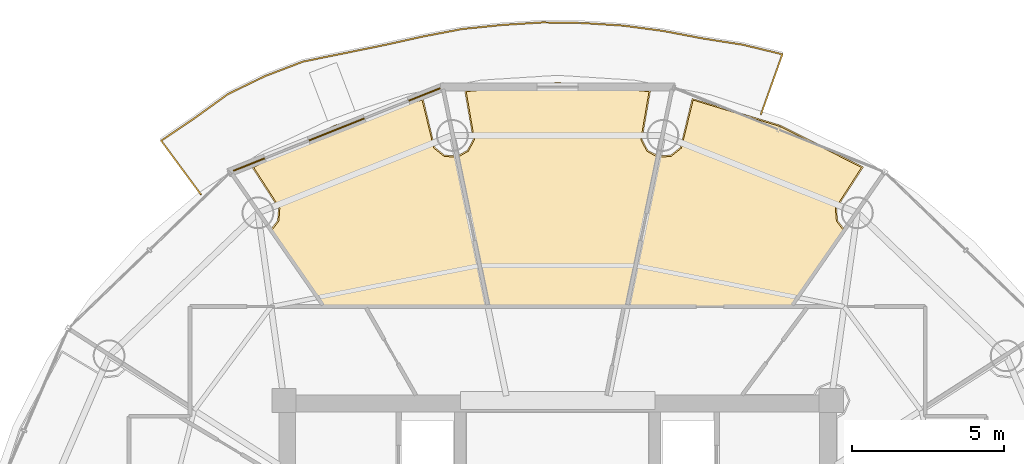
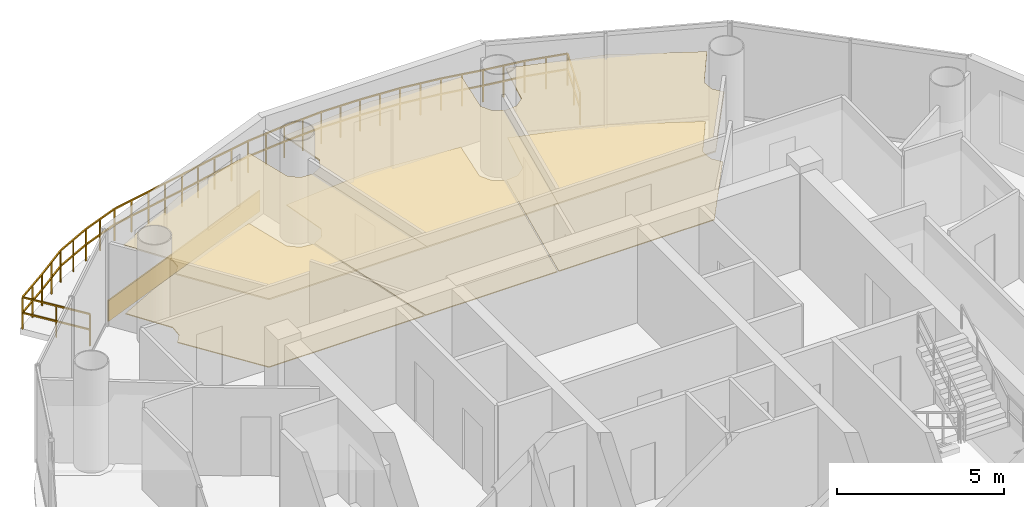
# One storey, part 24 of 24: 7 coverings, 1 railing.
"""IFC4 building model written with IfcOpenShell, lengths in metres."""

import ifcopenshell
import ifcopenshell.guid

model = None  # the IFC model being written
_history = None  # IfcOwnerHistory: only IFC2X3 demands one
_inside = {}  # id of a spatial element -> (the spatial element, [elements in it])
_under = {}  # id of a project, library or spatial element -> (it, [spatial elements below it])
_declared = {}  # id of a project -> (the project, [libraries it declares])
_typed = {}  # id of a type object -> (the type object, [elements of that type])
_made_of = {}  # id of a material, layer set ... -> (it, [elements and type objects made of it])


def new_model(schema):
    """Start an empty IFC model of exactly this schema.

    Asked for "IFC4X3", IfcOpenShell would pick the latest addendum, in which some entities
    have other attributes; the version numbers below select the first issue.
    IFC2X3 requires an IfcOwnerHistory on every rooted entity: one is made here for all.
    """
    global model, _history
    if schema == "IFC4X3":
        model = ifcopenshell.file(schema_version=(4, 3, 0, 0))
    else:
        model = ifcopenshell.file(schema=schema)
    _inside.clear()
    _under.clear()
    _declared.clear()
    _typed.clear()
    _made_of.clear()
    _history = None
    if model.schema == "IFC2X3":
        org = make("IfcOrganization", Name="unknown")
        user = make(
            "IfcPersonAndOrganization",
            ThePerson=make("IfcPerson", FamilyName="unknown"),
            TheOrganization=org,
        )
        app = make(
            "IfcApplication",
            ApplicationDeveloper=org,
            Version="unknown",
            ApplicationFullName="unknown",
            ApplicationIdentifier="unknown",
        )
        _history = make(
            "IfcOwnerHistory",
            OwningUser=user,
            OwningApplication=app,
            ChangeAction="ADDED",
            CreationDate=0,
        )
    return model


def make(cls, **values):
    """One entity of the class cls with the attributes given. An attribute that is None is left unset."""
    return model.create_entity(
        cls, **{name: value for name, value in values.items() if value is not None}
    )


def rooted(cls, **values):
    """An entity with a GlobalId (a new one), such as an element, a storey or a relation."""
    return make(cls, GlobalId=ifcopenshell.guid.new(), OwnerHistory=_history, **values)


def si_unit(unit_type, name, prefix=None):
    """IfcSIUnit, for example si_unit("LENGTHUNIT", "METRE", prefix="MILLI")."""
    return make("IfcSIUnit", UnitType=unit_type, Prefix=prefix, Name=name)


def assignment(units):
    """IfcUnitAssignment: the units of a project."""
    return None if units is None else make("IfcUnitAssignment", Units=units)


def point(xyz):
    """IfcCartesianPoint."""
    return None if xyz is None else make("IfcCartesianPoint", Coordinates=xyz)


def direction(xyz):
    """IfcDirection."""
    return None if xyz is None else make("IfcDirection", DirectionRatios=xyz)


def frame(location, z_axis=None, x_axis=None):
    """IfcAxis2Placement3D, a coordinate frame: its origin and axes. An axis left out is left unset."""
    return make(
        "IfcAxis2Placement3D",
        Location=point(location),
        Axis=direction(z_axis),
        RefDirection=direction(x_axis),
    )


def frame_2d(location, x_axis=None):
    """IfcAxis2Placement2D, a coordinate frame in the plane: its origin and x axis."""
    return make(
        "IfcAxis2Placement2D", Location=point(location), RefDirection=direction(x_axis)
    )


def origin():
    """The frame at (0, 0, 0) with its axes left unset."""
    return frame((0.0, 0.0, 0.0))


def origin_2d():
    """The frame at (0, 0) in the plane with its x axis left unset."""
    return frame_2d((0.0, 0.0))


def place(relative_to, where):
    """IfcLocalPlacement: puts the frame where relative to a parent placement (None: the world)."""
    return make(
        "IfcLocalPlacement", PlacementRelTo=relative_to, RelativePlacement=where
    )


def context(
    kind, dimensions, precision=None, world=None, true_north=None, identifier=None
):
    """IfcGeometricRepresentationContext, for example the 3D "Model" context."""
    return make(
        "IfcGeometricRepresentationContext",
        ContextIdentifier=identifier,
        ContextType=kind,
        CoordinateSpaceDimension=dimensions,
        Precision=precision,
        WorldCoordinateSystem=world,
        TrueNorth=true_north,
    )


def subcontext(parent, identifier, kind, view, scale=None):
    """IfcGeometricRepresentationSubContext, for example "Body" below "Model"."""
    return make(
        "IfcGeometricRepresentationSubContext",
        ContextIdentifier=identifier,
        ContextType=kind,
        ParentContext=parent,
        TargetScale=scale,
        TargetView=view,
    )


def project(units=None, contexts=None):
    """IfcProject with its units and contexts."""
    return rooted(
        "IfcProject",
        Name="project",
        RepresentationContexts=contexts,
        UnitsInContext=assignment(units),
    )


def spatial(cls, under=None, at=None, **own):
    """A site, building, storey or space (cls), placed at a placement, below another one or the project."""
    s = rooted(cls, ObjectPlacement=at, **own)
    if under is not None:
        _under.setdefault(under.id(), (under, []))[1].append(s)
    return s


def polyline(points):
    """IfcPolyline through the points."""
    return make("IfcPolyline", Points=[point(p) for p in points])


def profile(cls, at=None, kind="AREA", **sizes):
    """A parametric profile (cls). Its sizes go by their IFC names, for example OverallWidth=200.0."""
    return make(cls, ProfileType=kind, Position=at, **sizes)


def rectangle(**sizes):
    """IfcRectangleProfileDef."""
    return profile("IfcRectangleProfileDef", **sizes)


def outline(outer, holes=None, kind="AREA"):
    """IfcArbitraryClosedProfileDef: a profile drawn as a closed curve; with holes, ...WithVoids."""
    if holes is None:
        return make("IfcArbitraryClosedProfileDef", ProfileType=kind, OuterCurve=outer)
    return make(
        "IfcArbitraryProfileDefWithVoids",
        ProfileType=kind,
        OuterCurve=outer,
        InnerCurves=holes,
    )


def extrude(swept, where, along, depth):
    """IfcExtrudedAreaSolid: the profile swept, set in the frame where, extruded along a direction by depth."""
    return make(
        "IfcExtrudedAreaSolid",
        SweptArea=swept,
        Position=where,
        ExtrudedDirection=direction(along),
        Depth=depth,
    )


def shape(context_of_items, identifier, shape_type, items):
    """IfcShapeRepresentation: the items that make up one representation, for example the "Body"."""
    return make(
        "IfcShapeRepresentation",
        ContextOfItems=context_of_items,
        RepresentationIdentifier=identifier,
        RepresentationType=shape_type,
        Items=items,
    )


def source(mapping_origin, context_of_items, identifier, shape_type, items):
    """IfcRepresentationMap: a shape defined once, which mapped items show again and again."""
    return make(
        "IfcRepresentationMap",
        MappingOrigin=mapping_origin,
        MappedRepresentation=shape(context_of_items, identifier, shape_type, items),
    )


def transform(
    local_origin,
    x_axis=None,
    y_axis=None,
    z_axis=None,
    scale=None,
    scale2=None,
    scale3=None,
    uniform=True,
):
    """IfcCartesianTransformationOperator3D, or its non-uniform kind. x_axis, y_axis, z_axis: its Axis1, 2, 3."""
    if uniform:
        return make(
            "IfcCartesianTransformationOperator3D",
            Axis1=direction(x_axis),
            Axis2=direction(y_axis),
            LocalOrigin=point(local_origin),
            Scale=scale,
            Axis3=direction(z_axis),
        )
    return make(
        "IfcCartesianTransformationOperator3DnonUniform",
        Axis1=direction(x_axis),
        Axis2=direction(y_axis),
        LocalOrigin=point(local_origin),
        Scale=scale,
        Axis3=direction(z_axis),
        Scale2=scale2,
        Scale3=scale3,
    )


def mapped(mapping_source, mapping_target):
    """IfcMappedItem: shows the shape of a source again, moved by a transform."""
    return make(
        "IfcMappedItem", MappingSource=mapping_source, MappingTarget=mapping_target
    )


def material(Name=None, Category=None):
    """IfcMaterial."""
    return make("IfcMaterial", Name=Name, Category=Category)


def layer(
    of_material, thickness, ventilated=None, Name=None, Category=None, Priority=None
):
    """IfcMaterialLayer: one layer of a wall or slab, of a material (None: an air gap)."""
    return make(
        "IfcMaterialLayer",
        Material=of_material,
        LayerThickness=thickness,
        IsVentilated=ventilated,
        Name=Name,
        Category=Category,
        Priority=Priority,
    )


def layer_set(layers, Name=None):
    """IfcMaterialLayerSet."""
    return make("IfcMaterialLayerSet", MaterialLayers=layers, LayerSetName=Name)


def made_of(thing, what):
    """Note that an element or type object is made of a material, layer set ...; save() writes the relation."""
    if what is not None:
        _made_of.setdefault(what.id(), (what, []))[1].append(thing)
    return thing


def type_object(cls, material=None, **own):
    """A type object (cls), such as IfcWallType, which elements share."""
    return made_of(rooted(cls, **own), material)


def element(
    cls,
    number,
    at=None,
    inside=None,
    cuts=None,
    type_object=None,
    material=None,
    context=None,
    identifier="Body",
    shape_type=None,
    held_by="IfcProductDefinitionShape",
    body=None,
    shapes=None,
    **own,
):
    """One element of the class cls, such as IfcWall. Its Tag is "e" and its number.

    at: its placement. inside: the storey or other place that contains it. cuts: it is an
    opening in that element (IfcRelVoidsElement). A single representation is given by context,
    identifier, shape_type and body (its items); several are given by shapes. held_by: the class
    of the entity that holds the representations. save() writes the other relations.
    """
    e = rooted(cls, Tag="e%d" % number, ObjectPlacement=at, **own)
    if body is not None:
        shapes = [shape(context, identifier, shape_type, body)]
    if shapes is not None:
        e.Representation = make(held_by, Representations=shapes)
    if inside is not None:
        _inside.setdefault(inside.id(), (inside, []))[1].append(e)
    if cuts is not None:
        rooted(
            "IfcRelVoidsElement", RelatingBuildingElement=cuts, RelatedOpeningElement=e
        )
    if type_object is not None:
        _typed.setdefault(type_object.id(), (type_object, []))[1].append(e)
    return made_of(e, material)


def aggregate(whole, parts):
    """IfcRelAggregates: a whole, such as a stair, and the parts it consists of."""
    return rooted("IfcRelAggregates", RelatingObject=whole, RelatedObjects=parts)


def save(model, path):
    """Write the relations noted so far, then the file.

    IfcRelAggregates (storeys below a building ...), IfcRelContainedInSpatialStructure (elements
    in a storey), IfcRelDefinesByType, IfcRelAssociatesMaterial and IfcRelDeclares: one each for
    every whole, place, type object, material and project.
    """
    for whole, parts in _under.values():
        aggregate(whole, parts)
    for where, things in _inside.values():
        rooted(
            "IfcRelContainedInSpatialStructure",
            RelatedElements=things,
            RelatingStructure=where,
        )
    for kind, things in _typed.values():
        rooted("IfcRelDefinesByType", RelatedObjects=things, RelatingType=kind)
    for what, things in _made_of.values():
        rooted("IfcRelAssociatesMaterial", RelatedObjects=things, RelatingMaterial=what)
    for by, libraries in _declared.values():
        rooted("IfcRelDeclares", RelatingContext=by, RelatedDefinitions=libraries)
    model.write(path)


model = new_model("IFC4")

# Units and contexts
model_context = context("Model", 3, precision=1e-05, world=origin(), true_north=direction((-0.2419218956, 0.970295726276)))
body_context = subcontext(model_context, "Body", "Model", "MODEL_VIEW")
ifc_project = project(units=[si_unit("LENGTHUNIT", "METRE"), si_unit("AREAUNIT", "SQUARE_METRE"), si_unit("VOLUMEUNIT", "CUBIC_METRE"), si_unit("PLANEANGLEUNIT", "RADIAN"), si_unit("MASSUNIT", "GRAM", prefix="KILO")], contexts=[model_context])

# Site, building, storey
site_placement = place(None, origin())
site = spatial("IfcSite", under=ifc_project, at=site_placement, CompositionType="ELEMENT")
building_placement = place(site_placement, origin())
building = spatial("IfcBuilding", under=site, at=building_placement, Name="Cobrevalo Terracotta Tower", CompositionType="ELEMENT")
storey_placement = place(building_placement, frame((0.0, 0.0, 293.199951171875)))
storey = spatial("IfcBuildingStorey", under=building, at=storey_placement, Name="L77", CompositionType="ELEMENT", Elevation=293.199951171875)

# Railing
ifc_material_1 = material(Name="Laminated structural glass and stainless steel", Category="steel")
railing_type = type_object("IfcRailingType", Name="Balcony lobe structural glass & terracotta-cap balustrade 1180 mm", PredefinedType="BALUSTRADE", material=ifc_material_1)
railing_placement = place(storey_placement, frame((44.69140625, 44.2216796875, 0.0)))
element("IfcRailing", 1, at=railing_placement, inside=storey, type_object=railing_type, Name="L77 spiralling balcony lobe balustrade 1", PredefinedType="BALUSTRADE", context=body_context, shape_type="SweptSolid", body=[
    extrude(rectangle(XDim=0.048095703125, YDim=0.048095703125, at=origin_2d()), frame((0.0, 0.0, 1.15576171875), z_axis=(0.336173826495, 0.941799956668, 0.0), x_axis=(-0.941799956668, 0.336173826495, 0.0)), (0.0, 0.0, 1.0), 2.093017578125),
    extrude(rectangle(XDim=0.048095703125, YDim=0.048095703125, at=origin_2d()), frame((0.0, 0.0, 0.58984375), z_axis=(0.336173826495, 0.941799956668, 0.0), x_axis=(-0.941799956668, 0.336173826495, 0.0)), (0.0, 0.0, 1.0), 2.093017578125),
    extrude(rectangle(XDim=0.048095703125, YDim=0.048095703125, at=origin_2d()), frame((0.70361328125, 1.97119140625, 1.15576171875), z_axis=(-0.97209367665, 0.23459301741, 0.0), x_axis=(-0.23459301741, -0.97209367665, 0.0)), (0.0, 0.0, 1.0), 1.33935546875),
    extrude(rectangle(XDim=0.048095703125, YDim=0.048095703125, at=origin_2d()), frame((0.70361328125, 1.97119140625, 0.58984375), z_axis=(-0.97209367665, 0.23459301741, 0.0), x_axis=(-0.23459301741, -0.97209367665, 0.0)), (0.0, 0.0, 1.0), 1.33935546875),
    extrude(rectangle(XDim=0.048095703125, YDim=0.048095703125, at=origin_2d()), frame((-0.598388671875, 2.285400390625, 1.15576171875), z_axis=(-0.987963996549, 0.154684005389, 0.0), x_axis=(-0.154684005389, -0.987963996549, 0.0)), (0.0, 0.0, 1.0), 1.333740234375),
    extrude(rectangle(XDim=0.048095703125, YDim=0.048095703125, at=origin_2d()), frame((-0.598388671875, 2.285400390625, 0.58984375), z_axis=(-0.987963996549, 0.154684005389, 0.0), x_axis=(-0.154684005389, -0.987963996549, 0.0)), (0.0, 0.0, 1.0), 1.333740234375),
    extrude(rectangle(XDim=0.048095703125, YDim=0.048095703125, at=origin_2d()), frame((-1.916015625, 2.49169921875, 1.15576171875), z_axis=(-0.982404537805, 0.186765425336, 0.0), x_axis=(-0.186765425336, -0.982404537805, 0.0)), (0.0, 0.0, 1.0), 1.326904296875),
    extrude(rectangle(XDim=0.048095703125, YDim=0.048095703125, at=origin_2d()), frame((-1.916015625, 2.49169921875, 0.58984375), z_axis=(-0.982404537805, 0.186765425336, 0.0), x_axis=(-0.186765425336, -0.982404537805, 0.0)), (0.0, 0.0, 1.0), 1.326904296875),
    extrude(rectangle(XDim=0.048095703125, YDim=0.048095703125, at=origin_2d()), frame((-3.219482421875, 2.739501953125, 1.15576171875), z_axis=(-0.99126005454, 0.131922341831, 0.0), x_axis=(-0.131922341831, -0.99126005454, 0.0)), (0.0, 0.0, 1.0), 1.324951171875),
    extrude(rectangle(XDim=0.048095703125, YDim=0.048095703125, at=origin_2d()), frame((-3.219482421875, 2.739501953125, 0.58984375), z_axis=(-0.99126005454, 0.131922341831, 0.0), x_axis=(-0.131922341831, -0.99126005454, 0.0)), (0.0, 0.0, 1.0), 1.324951171875),
    extrude(rectangle(XDim=0.048095703125, YDim=0.048095703125, at=origin_2d()), frame((-4.532958984375, 2.914306640625, 1.15576171875), z_axis=(-0.99797529395, 0.063602772464, 0.0), x_axis=(-0.063602772464, -0.99797529395, 0.0)), (0.0, 0.0, 1.0), 1.328125),
    extrude(rectangle(XDim=0.048095703125, YDim=0.048095703125, at=origin_2d()), frame((-4.532958984375, 2.914306640625, 0.58984375), z_axis=(-0.99797529395, 0.063602772464, 0.0), x_axis=(-0.063602772464, -0.99797529395, 0.0)), (0.0, 0.0, 1.0), 1.328125),
    extrude(rectangle(XDim=0.048095703125, YDim=0.048095703125, at=origin_2d()), frame((-5.8583984375, 2.998779296875, 1.15576171875), z_axis=(-0.999880411048, 0.015464915214, 0.0), x_axis=(-0.015464915214, -0.999880411048, 0.0)), (0.0, 0.0, 1.0), 1.326171875),
    extrude(rectangle(XDim=0.048095703125, YDim=0.048095703125, at=origin_2d()), frame((-5.8583984375, 2.998779296875, 0.58984375), z_axis=(-0.999880411048, 0.015464915214, 0.0), x_axis=(-0.015464915214, -0.999880411048, 0.0)), (0.0, 0.0, 1.0), 1.326171875),
    extrude(rectangle(XDim=0.048095703125, YDim=0.048095703125, at=origin_2d()), frame((-7.184326171875, 3.019287109375, 1.15576171875), z_axis=(-0.998056153456, -0.062321060236, 0.0), x_axis=(0.062321060236, -0.998056153456, 0.0)), (0.0, 0.0, 1.0), 1.328125),
    extrude(rectangle(XDim=0.048095703125, YDim=0.048095703125, at=origin_2d()), frame((-7.184326171875, 3.019287109375, 0.58984375), z_axis=(-0.998056153456, -0.062321060236, 0.0), x_axis=(0.062321060236, -0.998056153456, 0.0)), (0.0, 0.0, 1.0), 1.328125),
    extrude(rectangle(XDim=0.048095703125, YDim=0.048095703125, at=origin_2d()), frame((-8.509765625, 2.9365234375, 1.15576171875), z_axis=(-0.994895817755, -0.100907441816, 0.0), x_axis=(0.100907441816, -0.994895817755, 0.0)), (0.0, 0.0, 1.0), 1.325927734375),
    extrude(rectangle(XDim=0.048095703125, YDim=0.048095703125, at=origin_2d()), frame((-8.509765625, 2.9365234375, 0.58984375), z_axis=(-0.994895817755, -0.100907441816, 0.0), x_axis=(0.100907441816, -0.994895817755, 0.0)), (0.0, 0.0, 1.0), 1.325927734375),
    extrude(rectangle(XDim=0.048095703125, YDim=0.048095703125, at=origin_2d()), frame((-9.828857421875, 2.802734375, 1.15576171875), z_axis=(-0.982336955947, -0.187120562689, 0.0), x_axis=(0.187120562689, -0.982336955947, 0.0)), (0.0, 0.0, 1.0), 1.326904296875),
    extrude(rectangle(XDim=0.048095703125, YDim=0.048095703125, at=origin_2d()), frame((-9.828857421875, 2.802734375, 0.58984375), z_axis=(-0.982336955947, -0.187120562689, 0.0), x_axis=(0.187120562689, -0.982336955947, 0.0)), (0.0, 0.0, 1.0), 1.326904296875),
    extrude(rectangle(XDim=0.048095703125, YDim=0.048095703125, at=origin_2d()), frame((-11.13232421875, 2.554443359375, 1.15576171875), z_axis=(-0.976278026705, -0.216520702412, 0.0), x_axis=(0.216520702412, -0.976278026705, 0.0)), (0.0, 0.0, 1.0), 1.324951171875),
    extrude(rectangle(XDim=0.048095703125, YDim=0.048095703125, at=origin_2d()), frame((-11.13232421875, 2.554443359375, 0.58984375), z_axis=(-0.976278026705, -0.216520702412, 0.0), x_axis=(0.216520702412, -0.976278026705, 0.0)), (0.0, 0.0, 1.0), 1.324951171875),
    extrude(rectangle(XDim=0.048095703125, YDim=0.048095703125, at=origin_2d()), frame((-12.42578125, 2.267578125, 1.15576171875), z_axis=(-0.97989244332, -0.19952643816, 0.0), x_axis=(0.19952643816, -0.97989244332, 0.0)), (0.0, 0.0, 1.0), 1.3349609375),
    extrude(rectangle(XDim=0.048095703125, YDim=0.048095703125, at=origin_2d()), frame((-12.42578125, 2.267578125, 0.58984375), z_axis=(-0.97989244332, -0.19952643816, 0.0), x_axis=(0.19952643816, -0.97989244332, 0.0)), (0.0, 0.0, 1.0), 1.3349609375),
    extrude(rectangle(XDim=0.048095703125, YDim=0.048095703125, at=origin_2d()), frame((-13.73388671875, 2.001220703125, 1.15576171875), z_axis=(-0.980078408179, -0.198610960981, 0.0), x_axis=(0.198610960981, -0.980078408179, 0.0)), (0.0, 0.0, 1.0), 1.354736328125),
    extrude(rectangle(XDim=0.048095703125, YDim=0.048095703125, at=origin_2d()), frame((-13.73388671875, 2.001220703125, 0.58984375), z_axis=(-0.980078408179, -0.198610960981, 0.0), x_axis=(0.198610960981, -0.980078408179, 0.0)), (0.0, 0.0, 1.0), 1.354736328125),
    extrude(rectangle(XDim=0.048095703125, YDim=0.048095703125, at=origin_2d()), frame((-15.0615234375, 1.732177734375, 1.15576171875), z_axis=(-0.934392925965, -0.356244101576, 0.0), x_axis=(0.356244101576, -0.934392925965, 0.0)), (0.0, 0.0, 1.0), 1.3466796875),
    extrude(rectangle(XDim=0.048095703125, YDim=0.048095703125, at=origin_2d()), frame((-15.0615234375, 1.732177734375, 0.58984375), z_axis=(-0.934392925965, -0.356244101576, 0.0), x_axis=(0.356244101576, -0.934392925965, 0.0)), (0.0, 0.0, 1.0), 1.3466796875),
    extrude(rectangle(XDim=0.048095703125, YDim=0.048095703125, at=origin_2d()), frame((-16.31982421875, 1.25244140625, 1.15576171875), z_axis=(-0.899829186154, -0.436242404799, 0.0), x_axis=(0.436242404799, -0.899829186154, 0.0)), (0.0, 0.0, 1.0), 1.34814453125),
    extrude(rectangle(XDim=0.048095703125, YDim=0.048095703125, at=origin_2d()), frame((-16.31982421875, 1.25244140625, 0.58984375), z_axis=(-0.899829186154, -0.436242404799, 0.0), x_axis=(0.436242404799, -0.899829186154, 0.0)), (0.0, 0.0, 1.0), 1.34814453125),
    extrude(rectangle(XDim=0.048095703125, YDim=0.048095703125, at=origin_2d()), frame((-17.532958984375, 0.664306640625, 1.15576171875), z_axis=(-0.811386402399, -0.584510141916, 0.0), x_axis=(0.584510141916, -0.811386402399, 0.0)), (0.0, 0.0, 1.0), 1.34619140625),
    extrude(rectangle(XDim=0.048095703125, YDim=0.048095703125, at=origin_2d()), frame((-17.532958984375, 0.664306640625, 0.58984375), z_axis=(-0.811386402399, -0.584510141916, 0.0), x_axis=(0.584510141916, -0.811386402399, 0.0)), (0.0, 0.0, 1.0), 1.34619140625),
    extrude(rectangle(XDim=0.048095703125, YDim=0.048095703125, at=origin_2d()), frame((-18.625244140625, -0.12255859375, 1.15576171875), z_axis=(-0.8282734607, -0.560324079708, 0.0), x_axis=(0.560324079708, -0.8282734607, 0.0)), (0.0, 0.0, 1.0), 1.33935546875),
    extrude(rectangle(XDim=0.048095703125, YDim=0.048095703125, at=origin_2d()), frame((-18.625244140625, -0.12255859375, 0.58984375), z_axis=(-0.8282734607, -0.560324079708, 0.0), x_axis=(0.560324079708, -0.8282734607, 0.0)), (0.0, 0.0, 1.0), 1.33935546875),
    extrude(rectangle(XDim=0.048095703125, YDim=0.048095703125, at=origin_2d()), frame((-19.734619140625, -0.873046875, 1.15576171875), z_axis=(0.593879640405, -0.80455389671, 0.0), x_axis=(0.80455389671, 0.593879640405, 0.0)), (0.0, 0.0, 1.0), 2.201904296875),
    extrude(rectangle(XDim=0.048095703125, YDim=0.048095703125, at=origin_2d()), frame((-19.734619140625, -0.873046875, 0.58984375), z_axis=(0.593879640405, -0.80455389671, 0.0), x_axis=(0.80455389671, 0.593879640405, 0.0)), (0.0, 0.0, 1.0), 2.201904296875),
    extrude(rectangle(XDim=0.0419921875, YDim=0.0419921875, at=origin_2d()), origin(), (0.0, 0.0, 1.0), 1.1318359375),
    extrude(rectangle(XDim=0.0419921875, YDim=0.0419921875, at=origin_2d()), frame((0.351806640625, 0.985595703125, 0.0)), (0.0, 0.0, 1.0), 1.1318359375),
    extrude(rectangle(XDim=0.0419921875, YDim=0.0419921875, at=origin_2d()), frame((0.70361328125, 1.97119140625, 0.0)), (0.0, 0.0, 1.0), 1.1318359375),
    extrude(rectangle(XDim=0.0419921875, YDim=0.0419921875, at=origin_2d()), frame((0.052734375, 2.12841796875, 0.0)), (0.0, 0.0, 1.0), 1.1318359375),
    extrude(rectangle(XDim=0.0419921875, YDim=0.0419921875, at=origin_2d()), frame((-0.598388671875, 2.285400390625, 0.0)), (0.0, 0.0, 1.0), 1.1318359375),
    extrude(rectangle(XDim=0.0419921875, YDim=0.0419921875, at=origin_2d()), frame((-1.25732421875, 2.388671875, 0.0)), (0.0, 0.0, 1.0), 1.1318359375),
    extrude(rectangle(XDim=0.0419921875, YDim=0.0419921875, at=origin_2d()), frame((-1.916015625, 2.49169921875, 0.0)), (0.0, 0.0, 1.0), 1.1318359375),
    extrude(rectangle(XDim=0.0419921875, YDim=0.0419921875, at=origin_2d()), frame((-2.56787109375, 2.61572265625, 0.0)), (0.0, 0.0, 1.0), 1.1318359375),
    extrude(rectangle(XDim=0.0419921875, YDim=0.0419921875, at=origin_2d()), frame((-3.219482421875, 2.739501953125, 0.0)), (0.0, 0.0, 1.0), 1.1318359375),
    extrude(rectangle(XDim=0.0419921875, YDim=0.0419921875, at=origin_2d()), frame((-3.876220703125, 2.826904296875, 0.0)), (0.0, 0.0, 1.0), 1.1318359375),
    extrude(rectangle(XDim=0.0419921875, YDim=0.0419921875, at=origin_2d()), frame((-4.532958984375, 2.914306640625, 0.0)), (0.0, 0.0, 1.0), 1.1318359375),
    extrude(rectangle(XDim=0.0419921875, YDim=0.0419921875, at=origin_2d()), frame((-5.19580078125, 2.95654296875, 0.0)), (0.0, 0.0, 1.0), 1.1318359375),
    extrude(rectangle(XDim=0.0419921875, YDim=0.0419921875, at=origin_2d()), frame((-5.8583984375, 2.998779296875, 0.0)), (0.0, 0.0, 1.0), 1.1318359375),
    extrude(rectangle(XDim=0.0419921875, YDim=0.0419921875, at=origin_2d()), frame((-6.521484375, 3.009033203125, 0.0)), (0.0, 0.0, 1.0), 1.1318359375),
    extrude(rectangle(XDim=0.0419921875, YDim=0.0419921875, at=origin_2d()), frame((-7.184326171875, 3.019287109375, 0.0)), (0.0, 0.0, 1.0), 1.1318359375),
    extrude(rectangle(XDim=0.0419921875, YDim=0.0419921875, at=origin_2d()), frame((-7.84716796875, 2.97802734375, 0.0)), (0.0, 0.0, 1.0), 1.1318359375),
    extrude(rectangle(XDim=0.0419921875, YDim=0.0419921875, at=origin_2d()), frame((-8.509765625, 2.9365234375, 0.0)), (0.0, 0.0, 1.0), 1.1318359375),
    extrude(rectangle(XDim=0.0419921875, YDim=0.0419921875, at=origin_2d()), frame((-9.16943359375, 2.86962890625, 0.0)), (0.0, 0.0, 1.0), 1.1318359375),
    extrude(rectangle(XDim=0.0419921875, YDim=0.0419921875, at=origin_2d()), frame((-9.828857421875, 2.802734375, 0.0)), (0.0, 0.0, 1.0), 1.1318359375),
    extrude(rectangle(XDim=0.0419921875, YDim=0.0419921875, at=origin_2d()), frame((-10.48046875, 2.6787109375, 0.0)), (0.0, 0.0, 1.0), 1.1318359375),
    extrude(rectangle(XDim=0.0419921875, YDim=0.0419921875, at=origin_2d()), frame((-11.13232421875, 2.554443359375, 0.0)), (0.0, 0.0, 1.0), 1.1318359375),
    extrude(rectangle(XDim=0.0419921875, YDim=0.0419921875, at=origin_2d()), frame((-11.779052734375, 2.4111328125, 0.0)), (0.0, 0.0, 1.0), 1.1318359375),
    extrude(rectangle(XDim=0.0419921875, YDim=0.0419921875, at=origin_2d()), frame((-12.42578125, 2.267578125, 0.0)), (0.0, 0.0, 1.0), 1.1318359375),
    extrude(rectangle(XDim=0.0419921875, YDim=0.0419921875, at=origin_2d()), frame((-13.079833984375, 2.13427734375, 0.0)), (0.0, 0.0, 1.0), 1.1318359375),
    extrude(rectangle(XDim=0.0419921875, YDim=0.0419921875, at=origin_2d()), frame((-13.73388671875, 2.001220703125, 0.0)), (0.0, 0.0, 1.0), 1.1318359375),
    extrude(rectangle(XDim=0.0419921875, YDim=0.0419921875, at=origin_2d()), frame((-14.397705078125, 1.86669921875, 0.0)), (0.0, 0.0, 1.0), 1.1318359375),
    extrude(rectangle(XDim=0.0419921875, YDim=0.0419921875, at=origin_2d()), frame((-15.0615234375, 1.732177734375, 0.0)), (0.0, 0.0, 1.0), 1.1318359375),
    extrude(rectangle(XDim=0.0419921875, YDim=0.0419921875, at=origin_2d()), frame((-15.690673828125, 1.4921875, 0.0)), (0.0, 0.0, 1.0), 1.1318359375),
    extrude(rectangle(XDim=0.0419921875, YDim=0.0419921875, at=origin_2d()), frame((-16.31982421875, 1.25244140625, 0.0)), (0.0, 0.0, 1.0), 1.1318359375),
    extrude(rectangle(XDim=0.0419921875, YDim=0.0419921875, at=origin_2d()), frame((-16.92626953125, 0.95849609375, 0.0)), (0.0, 0.0, 1.0), 1.1318359375),
    extrude(rectangle(XDim=0.0419921875, YDim=0.0419921875, at=origin_2d()), frame((-17.532958984375, 0.664306640625, 0.0)), (0.0, 0.0, 1.0), 1.1318359375),
    extrude(rectangle(XDim=0.0419921875, YDim=0.0419921875, at=origin_2d()), frame((-18.0791015625, 0.27099609375, 0.0)), (0.0, 0.0, 1.0), 1.1318359375),
    extrude(rectangle(XDim=0.0419921875, YDim=0.0419921875, at=origin_2d()), frame((-18.625244140625, -0.12255859375, 0.0)), (0.0, 0.0, 1.0), 1.1318359375),
    extrude(rectangle(XDim=0.0419921875, YDim=0.0419921875, at=origin_2d()), frame((-19.179931640625, -0.497802734375, 0.0)), (0.0, 0.0, 1.0), 1.1318359375),
    extrude(rectangle(XDim=0.0419921875, YDim=0.0419921875, at=origin_2d()), frame((-19.734619140625, -0.873046875, 0.0)), (0.0, 0.0, 1.0), 1.1318359375),
    extrude(rectangle(XDim=0.0419921875, YDim=0.0419921875, at=origin_2d()), frame((-19.080810546875, -1.7587890625, 0.0)), (0.0, 0.0, 1.0), 1.1318359375),
    extrude(rectangle(XDim=0.0419921875, YDim=0.0419921875, at=origin_2d()), frame((-18.427001953125, -2.64453125, 0.0)), (0.0, 0.0, 1.0), 1.1318359375),
])

# Coverings
ifc_material_2 = material(Name="Engineered Brazilian hardwood flooring", Category="wood")
ifc_layer_1 = layer(ifc_material_2, 0.028076171875)
ifc_layer_set_1 = layer_set([ifc_layer_1], Name="Engineered Brazilian hardwood flooring")
covering_type_1 = type_object("IfcCoveringType", Name="Engineered Hardwood Suite Flooring 28", PredefinedType="FLOORING", material=ifc_layer_set_1)
covering_1_placement = place(storey_placement, origin())
element("IfcCovering", 2, at=covering_1_placement, inside=storey, type_object=covering_type_1, Name="Flat L77A Principal Guest Bedroom floor finish", PredefinedType="FLOORING", context=body_context, shape_type="SweptSolid", body=[
    extrude(outline(polyline([(41.321533203125, 42.796630859375), (41.74072265625, 42.83642578125), (42.074951171875, 43.1064453125), (42.45947265625, 44.68603515625), (45.317138671875, 43.817626953125), (47.99853515625, 42.4697265625), (47.138427734375, 41.134521484375), (47.17236328125, 40.706298828125), (47.40283203125, 40.399658203125), (45.680419921875, 37.9150390625), (40.314208984375, 37.9150390625), (41.321533203125, 42.796630859375)])), origin(), (0.0, 0.0, 1.0), 0.030029296875),
])
covering_2_placement = place(storey_placement, origin())
element("IfcCovering", 3, at=covering_2_placement, inside=storey, type_object=covering_type_1, Name="Flat L77A Principal Guest Bedroom floor finish", PredefinedType="FLOORING", context=body_context, shape_type="SweptSolid", body=[
    extrude(outline(polyline([(34.71728515625, 42.80712890625), (35.064453125, 43.003173828125), (35.26416015625, 43.3837890625), (34.994140625, 44.964599609375), (38.0, 45.219970703125), (41.005859375, 44.964599609375), (40.73583984375, 43.3837890625), (40.935546875, 43.003173828125), (41.28271484375, 42.80712890625), (40.273193359375, 37.9150390625), (35.726806640625, 37.9150390625), (34.71728515625, 42.80712890625)])), origin(), (0.0, 0.0, 1.0), 0.030029296875),
])
covering_3_placement = place(storey_placement, origin())
element("IfcCovering", 4, at=covering_3_placement, inside=storey, type_object=covering_type_1, Name="Flat L77A Principal Guest Bedroom floor finish", PredefinedType="FLOORING", context=body_context, shape_type="SweptSolid", body=[
    extrude(outline(polyline([(28.59716796875, 40.399658203125), (28.82763671875, 40.706298828125), (28.861572265625, 41.134521484375), (28.00146484375, 42.4697265625), (30.682861328125, 43.817626953125), (33.54052734375, 44.68603515625), (33.925048828125, 43.1064453125), (34.25927734375, 42.83642578125), (34.678466796875, 42.796630859375), (35.685791015625, 37.9150390625), (30.319580078125, 37.9150390625), (28.59716796875, 40.399658203125)])), origin(), (0.0, 0.0, 1.0), 0.030029296875),
])
ifc_material_3 = material(Name="Acoustic perforated gypsum ceiling", Category="gypsum")
ifc_layer_2 = layer(ifc_material_3, 0.050048828125)
ifc_layer_set_2 = layer_set([ifc_layer_2], Name="Acoustic perforated gypsum ceiling")
covering_type_2 = type_object("IfcCoveringType", Name="Perforated Acoustic Gypsum Ceiling 50", PredefinedType="CEILING", material=ifc_layer_set_2)
covering_4_placement = place(storey_placement, frame((0.0, 0.0, 2.5)))
element("IfcCovering", 5, at=covering_4_placement, inside=storey, type_object=covering_type_2, Name="Flat L77A Principal Guest Bedroom acoustic ceiling", PredefinedType="CEILING", context=body_context, shape_type="SweptSolid", body=[
    extrude(outline(polyline([(41.28564453125, 42.845703125), (41.7236328125, 42.87841796875), (42.03759765625, 43.1318359375), (42.424560546875, 44.738525390625), (45.333740234375, 43.859619140625), (48.062255859375, 42.482421875), (47.1826171875, 41.124755859375), (47.214599609375, 40.72265625), (47.462890625, 40.407470703125), (45.7041015625, 37.8701171875), (40.2587890625, 37.8701171875), (41.28564453125, 42.845703125)])), origin(), (0.0, 0.0, 1.0), 0.050048828125),
])
covering_5_placement = place(storey_placement, frame((0.0, 0.0, 2.5)))
element("IfcCovering", 6, at=covering_5_placement, inside=storey, type_object=covering_type_2, Name="Flat L77A Principal Guest Bedroom acoustic ceiling", PredefinedType="CEILING", context=body_context, shape_type="SweptSolid", body=[
    extrude(outline(polyline([(34.6650390625, 42.837890625), (35.0322265625, 43.034912109375), (35.2197265625, 43.39208984375), (34.94091796875, 45.000244140625), (38.0, 45.26513671875), (41.05908203125, 45.000244140625), (40.7802734375, 43.39208984375), (40.9677734375, 43.034912109375), (41.3349609375, 42.837890625), (40.309814453125, 37.8701171875), (35.690185546875, 37.8701171875), (34.6650390625, 42.837890625)])), origin(), (0.0, 0.0, 1.0), 0.050048828125),
])
covering_6_placement = place(storey_placement, frame((0.0, 0.0, 2.5)))
element("IfcCovering", 7, at=covering_6_placement, inside=storey, type_object=covering_type_2, Name="Flat L77A Principal Guest Bedroom acoustic ceiling", PredefinedType="CEILING", context=body_context, shape_type="SweptSolid", body=[
    extrude(outline(polyline([(28.537109375, 40.407470703125), (28.785400390625, 40.72265625), (28.8173828125, 41.124755859375), (27.937744140625, 42.482421875), (30.666259765625, 43.859619140625), (33.575439453125, 44.738525390625), (33.96240234375, 43.1318359375), (34.2763671875, 42.87841796875), (34.71435546875, 42.845703125), (35.7412109375, 37.8701171875), (30.2958984375, 37.8701171875), (28.537109375, 40.407470703125)])), origin(), (0.0, 0.0, 1.0), 0.050048828125),
])
ifc_material_4 = material(Name="Glazed terracotta facade cladding tile", Category="masonry")
ifc_layer_3 = layer(ifc_material_4, 0.044921875)
ifc_layer_set_3 = layer_set([ifc_layer_3], Name="Glazed terracotta facade cladding tile")
covering_type_3 = type_object("IfcCoveringType", Name="Architectural terracotta rainscreen spandrel cladding 45 mm", PredefinedType="CLADDING", material=ifc_layer_set_3)
shared_shape = source(origin(), body_context, "Body", "SweptSolid", [
    extrude(rectangle(XDim=7.318359375, YDim=0.044921875, at=origin_2d()), origin(), (0.0, 0.0, 1.0), 0.760009765625),
])
covering_7_placement = place(storey_placement, frame((30.729736328125, 43.71728515625, 0.0400390625), z_axis=(0.0, 0.0, 1.0), x_axis=(-0.92871833374, -0.370785998353, 0.0)))
element("IfcCovering", 8, at=covering_7_placement, inside=storey, type_object=covering_type_3, Name="L77 terracotta spandrel cladding S05", PredefinedType="CLADDING", context=body_context, shape_type="MappedRepresentation", body=[
    mapped(shared_shape, transform((0.0, 0.0, 0.0), scale=1.0)),
])

save(model, "model.ifc")
